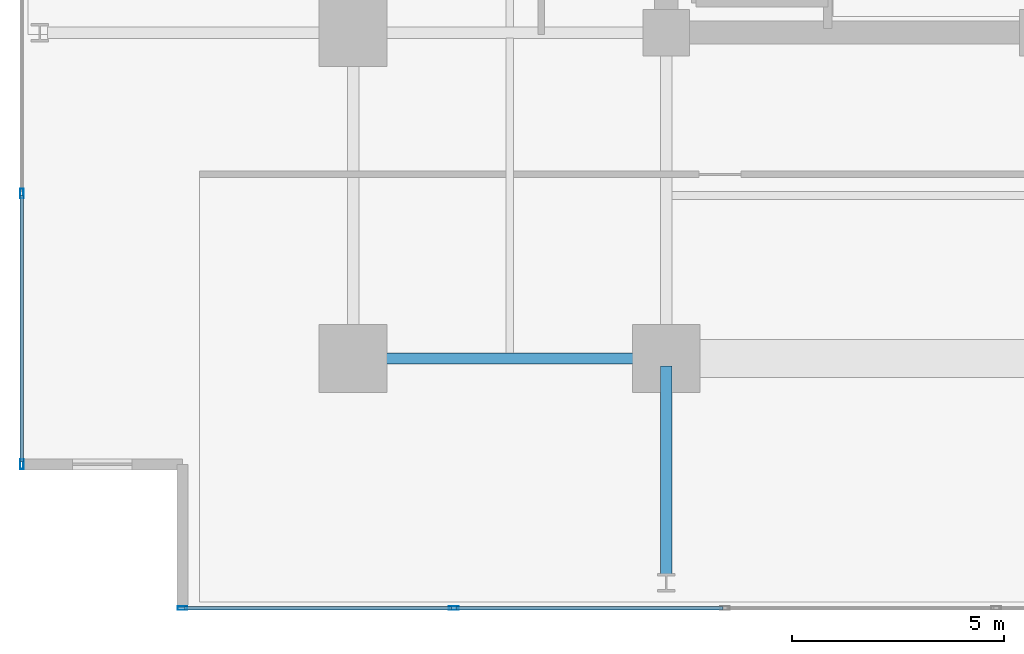
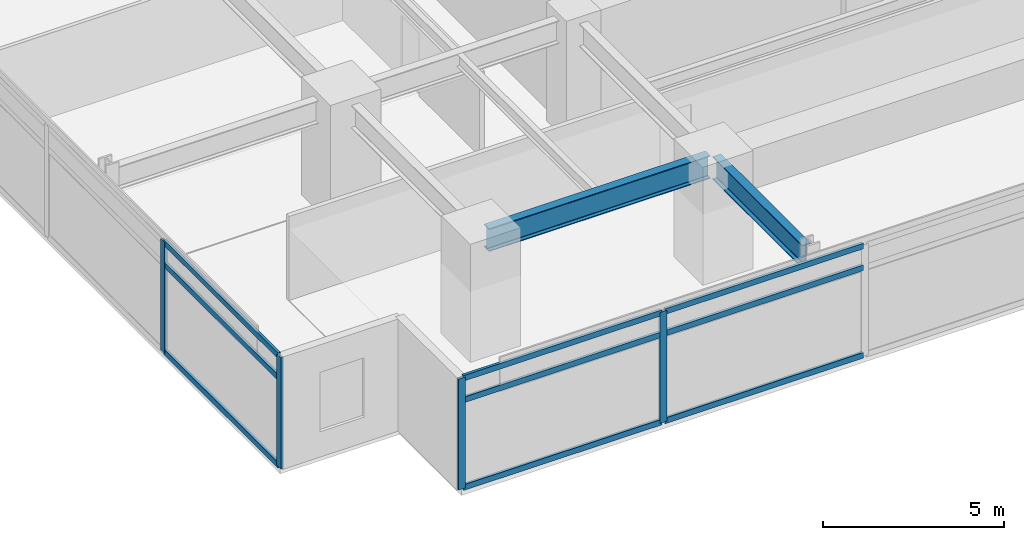
# One storey, part 2 of 20: 13 members, 2 beams, 2 elements without a shape of their own.
"""IFC4 building model written with IfcOpenShell, lengths in metres."""

from ifc_helpers import new_model, si_unit, direction, frame, origin, origin_2d, place, context, subcontext, project, spatial, hollow_rectangle, i_section, extrude, material, material_profile, profile_set, type_object, element, aggregate, save


model = new_model("IFC4")

# Units and contexts
model_context = context("Model", 3, precision=1e-05, world=origin(), true_north=direction((0.0, 1.0)))
body_context = subcontext(model_context, "Body", "Model", "MODEL_VIEW")
ifc_project = project(units=[si_unit("LENGTHUNIT", "METRE"), si_unit("AREAUNIT", "SQUARE_METRE"), si_unit("VOLUMEUNIT", "CUBIC_METRE"), si_unit("PLANEANGLEUNIT", "RADIAN"), si_unit("MASSUNIT", "GRAM", prefix="KILO")], contexts=[model_context])

# Site, building, storey
site_placement = place(None, origin())
site = spatial("IfcSite", under=ifc_project, at=site_placement, CompositionType="ELEMENT")
building_placement = place(site_placement, origin())
building = spatial("IfcBuilding", under=site, at=building_placement, Name="Kovane Verandah Tower", CompositionType="ELEMENT")
storey_placement = place(building_placement, frame((0.0, 0.0, 128.39990234375)))
storey = spatial("IfcBuildingStorey", under=building, at=storey_placement, Name="L29", CompositionType="ELEMENT", Elevation=128.39990234375)

# Beams
ifc_material_1 = material(Name="Steel S355", Category="steel")
ifc_material_profile_1 = material_profile(ifc_material_1, i_section(OverallWidth=0.26806640625, OverallDepth=0.769775390625, WebThickness=0.015625, FlangeThickness=0.025390625, FilletRadius=0.0166015625, at=origin_2d()), Name="UB762x267x197")
ifc_profile_set_1 = profile_set([ifc_material_profile_1], Name="Steel S355")
beam_type = type_object("IfcBeamType", Name="BM-UB762x197", PredefinedType="BEAM", material=ifc_profile_set_1)
beam_1_placement = place(storey_placement, frame((21.780029296875, 10.800048828125, 3.39013671875), z_axis=(1.0, 0.0, 0.0), x_axis=(0.0, 1.0, 0.0)))
element("IfcBeam", 1, at=beam_1_placement, inside=storey, type_object=beam_type, Name="L29 Primary Tower Girder G-RS1", PredefinedType="BEAM", context=body_context, shape_type="SweptSolid", body=[
    extrude(i_section(OverallWidth=0.26806640625, OverallDepth=0.769775390625, WebThickness=0.015625, FlangeThickness=0.025390625, FilletRadius=0.0166015625, at=origin_2d()), origin(), (0.0, 0.0, 1.0), 7.0400390625),
])
beam_2_placement = place(storey_placement, frame((29.0, 10.6201171875, 3.375244140625), z_axis=(0.0, -1.0, 0.0), x_axis=(1.0, 0.0, 0.0)))
element("IfcBeam", 2, at=beam_2_placement, inside=storey, type_object=beam_type, Name="L29 Primary Tower Girder G-VS1", PredefinedType="BEAM", context=body_context, shape_type="SweptSolid", body=[
    extrude(i_section(OverallWidth=0.26806640625, OverallDepth=0.769775390625, WebThickness=0.015625, FlangeThickness=0.025390625, FilletRadius=0.0166015625, at=origin_2d()), origin(), (0.0, 0.0, 1.0), 4.940185546875),
])

# Curtain wall, members
ifc_material_2 = material(Name="Champagne Anodised Aluminium Frame with Low-E Clear Laminated Glass", Category="aluminium")
curtain_wall_type = type_object("IfcCurtainWallType", Name="CW-SYS-03-MID", PredefinedType="NOTDEFINED", material=ifc_material_2)
curtain_wall_1_placement = place(storey_placement, origin())
curtain_wall_1 = element("IfcCurtainWall", 3, at=curtain_wall_1_placement, inside=storey, type_object=curtain_wall_type, Name="L29 S Unitised Curtain Wall", PredefinedType="NOTDEFINED")
ifc_material_3 = material(Name="Champagne Anodised Aluminium 6063-T6", Category="aluminium")
ifc_material_profile_2 = material_profile(ifc_material_3, hollow_rectangle(XDim=0.0849609375, YDim=0.22998046875, WallThickness=0.00390625, at=origin_2d()), Name="AL85x230x4")
ifc_profile_set_2 = profile_set([ifc_material_profile_2], Name="Champagne Anodised Aluminium 6063-T6")
member_type_1 = type_object("IfcMemberType", Name="CW-MUL-85x230", PredefinedType="MULLION", material=ifc_profile_set_2)
member_1_placement = place(storey_placement, frame((17.5712890625, 4.89990234375, 0.02001953125), z_axis=(0.0, 0.0, 1.0), x_axis=(0.0, -1.0, 0.0)))
member_1 = element("IfcMember", 4, at=member_1_placement, type_object=member_type_1, Name="L29 S Unitised Curtain Wall Mullion 1", PredefinedType="MULLION", context=body_context, shape_type="SweptSolid", body=[
    extrude(hollow_rectangle(XDim=0.0849609375, YDim=0.22998046875, WallThickness=0.00390625, at=origin_2d()), origin(), (0.0, 0.0, 1.0), 3.735107421875),
])
member_2_placement = place(storey_placement, frame((23.9794921875, 4.89990234375, 0.02001953125), z_axis=(0.0, 0.0, 1.0), x_axis=(0.0, -1.0, 0.0)))
member_2 = element("IfcMember", 5, at=member_2_placement, type_object=member_type_1, Name="L29 S Unitised Curtain Wall Mullion 2", PredefinedType="MULLION", context=body_context, shape_type="SweptSolid", body=[
    extrude(hollow_rectangle(XDim=0.0849609375, YDim=0.22998046875, WallThickness=0.00390625, at=origin_2d()), origin(), (0.0, 0.0, 1.0), 3.735107421875),
])

curtain_wall_2_placement = place(storey_placement, origin())
curtain_wall_2 = element("IfcCurtainWall", 6, at=curtain_wall_2_placement, inside=storey, type_object=curtain_wall_type, Name="L29 W Unitised Curtain Wall", PredefinedType="NOTDEFINED")
member_3_placement = place(storey_placement, frame((13.771240234375, 14.699951171875, 0.02001953125), z_axis=(0.0, 0.0, 1.0), x_axis=(-1.0, 0.0, 0.0)))
member_3 = element("IfcMember", 7, at=member_3_placement, type_object=member_type_1, Name="L29 W Unitised Curtain Wall Mullion 6", PredefinedType="MULLION", context=body_context, shape_type="SweptSolid", body=[
    extrude(hollow_rectangle(XDim=0.0849609375, YDim=0.22998046875, WallThickness=0.00390625, at=origin_2d()), origin(), (0.0, 0.0, 1.0), 3.735107421875),
])
member_4_placement = place(storey_placement, frame((13.771240234375, 8.2998046875, 0.02001953125), z_axis=(0.0, 0.0, 1.0), x_axis=(-1.0, 0.0, 0.0)))
member_4 = element("IfcMember", 8, at=member_4_placement, type_object=member_type_1, Name="L29 W Unitised Curtain Wall Mullion 7", PredefinedType="MULLION", context=body_context, shape_type="SweptSolid", body=[
    extrude(hollow_rectangle(XDim=0.0849609375, YDim=0.22998046875, WallThickness=0.00390625, at=origin_2d()), origin(), (0.0, 0.0, 1.0), 3.735107421875),
])

# Member
ifc_material_profile_3 = material_profile(ifc_material_3, hollow_rectangle(XDim=0.0849609375, YDim=0.18994140625, WallThickness=0.00390625, at=origin_2d()), Name="AL85x190x4")
ifc_profile_set_3 = profile_set([ifc_material_profile_3], Name="Champagne Anodised Aluminium 6063-T6")
member_type_2 = type_object("IfcMemberType", Name="CW-TRN-85x190", PredefinedType="USERDEFINED", material=ifc_profile_set_3)
member_5_placement = place(storey_placement, frame((17.621337890625, 4.89990234375, 0.050048828125), z_axis=(1.0, 0.0, 0.0), x_axis=(0.0, 1.0, 0.0)))
member_5 = element("IfcMember", 9, at=member_5_placement, type_object=member_type_2, Name="L29 S Unitised Curtain Wall Transom TB Bay 1", ObjectType="TRANSOM", PredefinedType="USERDEFINED", context=body_context, shape_type="SweptSolid", body=[
    extrude(hollow_rectangle(XDim=0.0849609375, YDim=0.18994140625, WallThickness=0.00390625, at=origin_2d()), origin(), (0.0, 0.0, 1.0), 6.30810546875),
])

member_6_placement = place(storey_placement, frame((17.621337890625, 4.89990234375, 2.9951171875), z_axis=(1.0, 0.0, 0.0), x_axis=(0.0, 1.0, 0.0)))
member_6 = element("IfcMember", 10, at=member_6_placement, type_object=member_type_2, Name="L29 S Unitised Curtain Wall Transom TM Bay 1", ObjectType="TRANSOM", PredefinedType="USERDEFINED", context=body_context, shape_type="SweptSolid", body=[
    extrude(hollow_rectangle(XDim=0.0849609375, YDim=0.18994140625, WallThickness=0.00390625, at=origin_2d()), origin(), (0.0, 0.0, 1.0), 6.30810546875),
])

member_7_placement = place(storey_placement, frame((17.621337890625, 4.89990234375, 3.72509765625), z_axis=(1.0, 0.0, 0.0), x_axis=(0.0, 1.0, 0.0)))
member_7 = element("IfcMember", 11, at=member_7_placement, type_object=member_type_2, Name="L29 S Unitised Curtain Wall Transom TT Bay 1", ObjectType="TRANSOM", PredefinedType="USERDEFINED", context=body_context, shape_type="SweptSolid", body=[
    extrude(hollow_rectangle(XDim=0.0849609375, YDim=0.18994140625, WallThickness=0.00390625, at=origin_2d()), origin(), (0.0, 0.0, 1.0), 6.30810546875),
])

member_8_placement = place(storey_placement, frame((24.029541015625, 4.89990234375, 0.050048828125), z_axis=(1.0, 0.0, 0.0), x_axis=(0.0, 1.0, 0.0)))
member_8 = element("IfcMember", 12, at=member_8_placement, type_object=member_type_2, Name="L29 S Unitised Curtain Wall Transom TB Bay 2", ObjectType="TRANSOM", PredefinedType="USERDEFINED", context=body_context, shape_type="SweptSolid", body=[
    extrude(hollow_rectangle(XDim=0.0849609375, YDim=0.18994140625, WallThickness=0.00390625, at=origin_2d()), origin(), (0.0, 0.0, 1.0), 6.30810546875),
])

member_9_placement = place(storey_placement, frame((24.029541015625, 4.89990234375, 2.9951171875), z_axis=(1.0, 0.0, 0.0), x_axis=(0.0, 1.0, 0.0)))
member_9 = element("IfcMember", 13, at=member_9_placement, type_object=member_type_2, Name="L29 S Unitised Curtain Wall Transom TM Bay 2", ObjectType="TRANSOM", PredefinedType="USERDEFINED", context=body_context, shape_type="SweptSolid", body=[
    extrude(hollow_rectangle(XDim=0.0849609375, YDim=0.18994140625, WallThickness=0.00390625, at=origin_2d()), origin(), (0.0, 0.0, 1.0), 6.30810546875),
])

member_10_placement = place(storey_placement, frame((24.029541015625, 4.89990234375, 3.72509765625), z_axis=(1.0, 0.0, 0.0), x_axis=(0.0, 1.0, 0.0)))
member_10 = element("IfcMember", 14, at=member_10_placement, type_object=member_type_2, Name="L29 S Unitised Curtain Wall Transom TT Bay 2", ObjectType="TRANSOM", PredefinedType="USERDEFINED", context=body_context, shape_type="SweptSolid", body=[
    extrude(hollow_rectangle(XDim=0.0849609375, YDim=0.18994140625, WallThickness=0.00390625, at=origin_2d()), origin(), (0.0, 0.0, 1.0), 6.30810546875),
])

aggregate(curtain_wall_1, [member_1, member_2, member_5, member_6, member_7, member_8, member_9, member_10])

member_11_placement = place(storey_placement, frame((13.771240234375, 14.64990234375, 0.050048828125), z_axis=(0.0, -1.0, 0.0), x_axis=(1.0, 0.0, 0.0)))
member_11 = element("IfcMember", 15, at=member_11_placement, type_object=member_type_2, Name="L29 W Unitised Curtain Wall Transom TB Bay 6", ObjectType="TRANSOM", PredefinedType="USERDEFINED", context=body_context, shape_type="SweptSolid", body=[
    extrude(hollow_rectangle(XDim=0.0849609375, YDim=0.18994140625, WallThickness=0.00390625, at=origin_2d()), origin(), (0.0, 0.0, 1.0), 6.300048828125),
])

member_12_placement = place(storey_placement, frame((13.771240234375, 14.64990234375, 2.9951171875), z_axis=(0.0, -1.0, 0.0), x_axis=(1.0, 0.0, 0.0)))
member_12 = element("IfcMember", 16, at=member_12_placement, type_object=member_type_2, Name="L29 W Unitised Curtain Wall Transom TM Bay 6", ObjectType="TRANSOM", PredefinedType="USERDEFINED", context=body_context, shape_type="SweptSolid", body=[
    extrude(hollow_rectangle(XDim=0.0849609375, YDim=0.18994140625, WallThickness=0.00390625, at=origin_2d()), origin(), (0.0, 0.0, 1.0), 6.300048828125),
])

member_13_placement = place(storey_placement, frame((13.771240234375, 14.64990234375, 3.72509765625), z_axis=(0.0, -1.0, 0.0), x_axis=(1.0, 0.0, 0.0)))
member_13 = element("IfcMember", 17, at=member_13_placement, type_object=member_type_2, Name="L29 W Unitised Curtain Wall Transom TT Bay 6", ObjectType="TRANSOM", PredefinedType="USERDEFINED", context=body_context, shape_type="SweptSolid", body=[
    extrude(hollow_rectangle(XDim=0.0849609375, YDim=0.18994140625, WallThickness=0.00390625, at=origin_2d()), origin(), (0.0, 0.0, 1.0), 6.300048828125),
])

aggregate(curtain_wall_2, [member_3, member_4, member_11, member_12, member_13])

save(model, "model.ifc")
